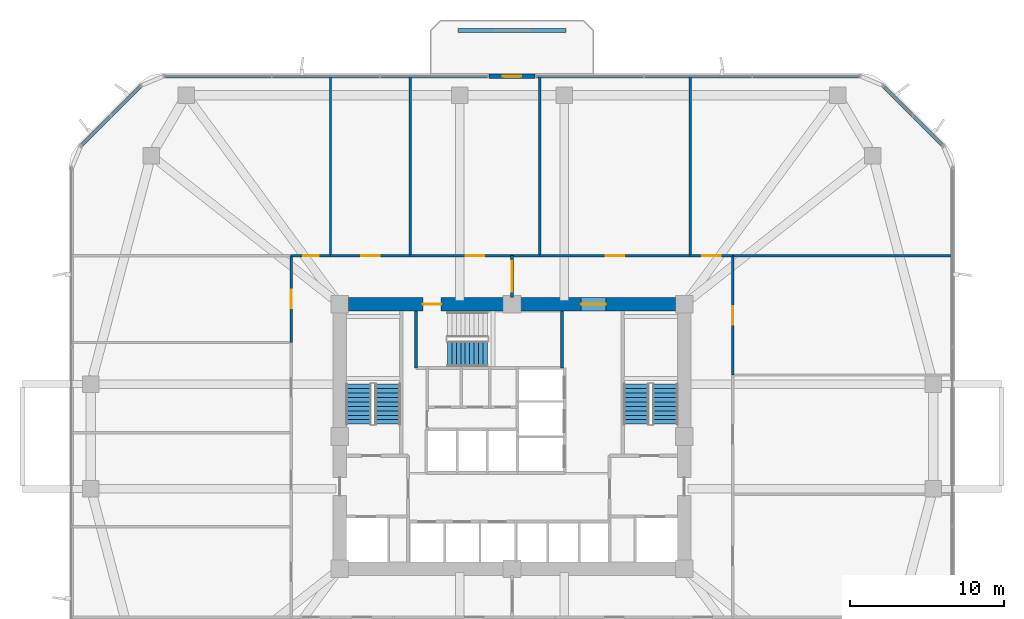
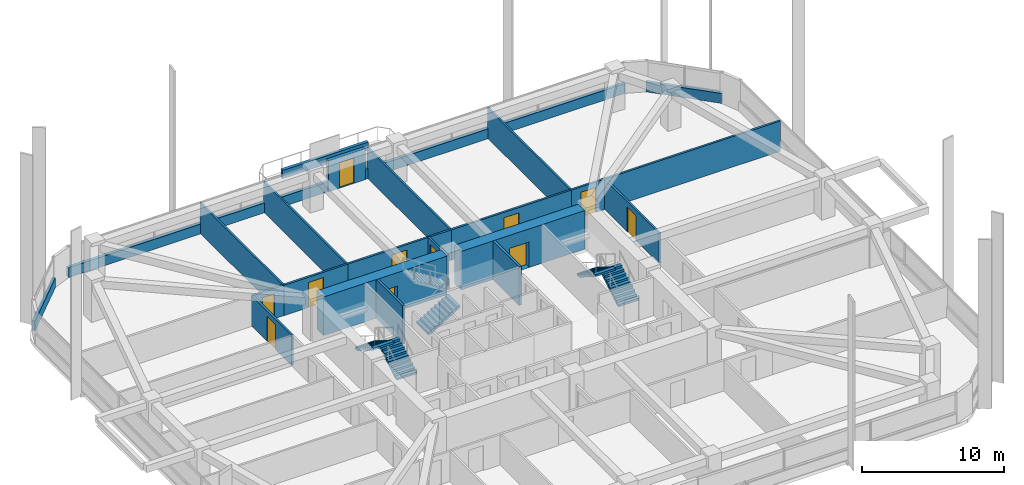
# One storey, part 11 of 17: 23 walls, 11 doors, 5 stair flights, 11 openings, 3 elements without a shape of their own.
"""IFC4 building model written with IfcOpenShell, lengths in metres."""

from ifc_helpers import new_model, si_unit, derived_unit, direction, frame, frame_2d, origin, place, context, subcontext, project, spatial, polyline, rectangle, outline, extrude, material, layer, layer_set, type_object, element, fill, aggregate, save


model = new_model("IFC4")

# Units and contexts
model_context = context("Model", 3, precision=1e-05, world=origin(), true_north=direction((0.0, 1.0)))
body_context = subcontext(model_context, "Body", "Model", "MODEL_VIEW")
ifc_project = project(units=[si_unit("LENGTHUNIT", "METRE"), si_unit("AREAUNIT", "SQUARE_METRE"), si_unit("VOLUMEUNIT", "CUBIC_METRE"), si_unit("PLANEANGLEUNIT", "RADIAN"), si_unit("MASSUNIT", "GRAM", prefix="KILO"), derived_unit("THERMALTRANSMITTANCEUNIT", [(si_unit("POWERUNIT", "WATT"), 1), (si_unit("LENGTHUNIT", "METRE"), -2), (si_unit("THERMODYNAMICTEMPERATUREUNIT", "KELVIN"), -1)])], contexts=[model_context])

# Site, building, storey
site_placement = place(None, origin())
site = spatial("IfcSite", under=ifc_project, at=site_placement, CompositionType="ELEMENT")
building_placement = place(site_placement, origin())
building = spatial("IfcBuilding", under=site, at=building_placement, Name="Koralith Skygarden Medical Center", CompositionType="ELEMENT")
storey_placement = place(building_placement, frame((0.0, 0.0, 52.739990234375)))
storey = spatial("IfcBuildingStorey", under=building, at=storey_placement, Name="L13", CompositionType="ELEMENT", Elevation=52.739990234375)

# Walls
ifc_material_1 = material(Name="Gypsum Board Partition")
ifc_layer_1 = layer(ifc_material_1, 0.14990234375)
ifc_layer_set_1 = layer_set([ifc_layer_1], Name="Gypsum Board Partition")
wall_type_1 = type_object("IfcWallType", Name="Clinical Acoustic Partition 150", PredefinedType="PARTITIONING", material=ifc_layer_set_1)
for number, where, z_axis, x_axis, name in (
    (1, (25.199951171875, 37.64990234375, 0.0), (0.0, 0.0, 1.0), (0.0, 1.0, 0.0), "L13 Clinical Acoustic Partition 150 W-PART-L13-N-01"),
    (2, (30.381103515625, 37.64990234375, 0.0), (0.0, 0.0, 1.0), (0.0, 1.0, 0.0), "L13 Clinical Acoustic Partition 150 W-PART-L13-N-02"),
    (3, (38.800048828125, 37.64990234375, 0.0), (0.0, 0.0, 1.0), (0.0, 1.0, 0.0), "L13 Clinical Acoustic Partition 150 W-PART-L13-N-03"),
    (4, (48.583984375, 37.64990234375, 0.0), (0.0, 0.0, 1.0), (0.0, 1.0, 0.0), "L13 Clinical Acoustic Partition 150 W-PART-L13-N-04"),
):
    element("IfcWall", number, at=place(storey_placement, frame(where, z_axis=z_axis, x_axis=x_axis)), inside=storey, type_object=wall_type_1, Name=name, PredefinedType="PARTITIONING", context=body_context, shape_type="SweptSolid", body=[
        extrude(rectangle(XDim=11.650146484375, YDim=0.14990234375, at=frame_2d((5.8251953125, 0.0))), origin(), (0.0, 0.0, 1.0), 2.610107421875),
    ])
ifc_layer_2 = layer(ifc_material_1, 0.1650390625)
ifc_layer_set_2 = layer_set([ifc_layer_2], Name="Gypsum Board Partition")
wall_type_2 = type_object("IfcWallType", Name="Clinical Corridor Partition 165", PredefinedType="PARTITIONING", material=ifc_layer_set_2)
wall_1_placement = place(storey_placement, frame((51.35009765625, 37.64990234375, 0.0), z_axis=(0.0, 0.0, 1.0), x_axis=(1.0, 0.0, 0.0)))
element("IfcWall", 5, at=wall_1_placement, inside=storey, type_object=wall_type_2, Name="L13 Clinical Corridor Partition 165 W-WB-L13-NE", PredefinedType="PARTITIONING", context=body_context, shape_type="SweptSolid", body=[
    extrude(rectangle(XDim=14.25, YDim=0.1650390625, at=frame_2d((7.125, 0.0))), origin(), (0.0, 0.0, 1.0), 2.610107421875),
])

# Wall, opening, door
wall_2_placement = place(storey_placement, frame((22.64990234375, 37.64990234375, 0.0), z_axis=(0.0, 0.0, 1.0), x_axis=(1.0, 0.0, 0.0)))
wall_2 = element("IfcWall", 6, at=wall_2_placement, inside=storey, type_object=wall_type_2, Name="L13 Clinical Corridor Partition 165 W-CORR-L13-N-01", PredefinedType="PARTITIONING", context=body_context, shape_type="SweptSolid", body=[
    extrude(rectangle(XDim=2.550048828125, YDim=0.1650390625, at=frame_2d((1.27490234375, 0.0))), origin(), (0.0, 0.0, 1.0), 2.610107421875),
])
opening_1_placement = place(wall_2_placement, frame((0.77490234375, 0.0, 0.0)))
opening_1 = element("IfcOpeningElement", 7, at=opening_1_placement, cuts=wall_2, Name="Opening D-SUP", PredefinedType="OPENING", context=body_context, shape_type="SweptSolid", body=[
    extrude(rectangle(XDim=1.0, YDim=2.14990234375, at=frame_2d((0.5, 1.074951171875))), frame((0.0, 0.092529296875, 0.0), z_axis=(0.0, -1.0, 0.0), x_axis=(1.0, 0.0, 0.0)), (0.0, 0.0, 1.0), 0.18505859375),
])
ifc_material_2 = material(Name="Aluminium 6063-T6", Category="aluminium")
door_type_1 = type_object("IfcDoorType", Name="Clinical Support Door D-SUP 1000", OperationType="NOTDEFINED", PredefinedType="DOOR", material=ifc_material_2)
door_1_placement = place(opening_1_placement, origin())
door_1 = element("IfcDoor", 8, at=door_1_placement, inside=storey, type_object=door_type_1, Name="L13 Clinical Simulation Classroom 01 Door", OperationType="SINGLE_SWING_RIGHT", OverallHeight=2.14990234375, OverallWidth=1.0, PredefinedType="DOOR", context=body_context, shape_type="SweptSolid", body=[
    extrude(rectangle(XDim=1.0, YDim=2.14990234375, at=frame_2d((0.5, 1.074951171875))), frame((0.0, 0.02490234375, 0.0), z_axis=(0.0, -1.0, 0.0), x_axis=(1.0, 0.0, 0.0)), (0.0, 0.0, 1.0), 0.050048828125),
])
fill(opening_1, door_1)

wall_3_placement = place(storey_placement, frame((25.199951171875, 37.64990234375, 0.0), z_axis=(0.0, 0.0, 1.0), x_axis=(1.0, 0.0, 0.0)))
wall_3 = element("IfcWall", 9, at=wall_3_placement, inside=storey, type_object=wall_type_2, Name="L13 Clinical Corridor Partition 165 W-CORR-L13-N-02", PredefinedType="PARTITIONING", context=body_context, shape_type="SweptSolid", body=[
    extrude(rectangle(XDim=5.18115234375, YDim=0.1650390625, at=frame_2d((2.590576171875, 0.0))), origin(), (0.0, 0.0, 1.0), 2.610107421875),
])
opening_2_placement = place(wall_3_placement, frame((1.990966796875, 0.0, 0.0)))
opening_2 = element("IfcOpeningElement", 10, at=opening_2_placement, cuts=wall_3, Name="Opening D-CLN", PredefinedType="OPENING", context=body_context, shape_type="SweptSolid", body=[
    extrude(rectangle(XDim=1.199951171875, YDim=2.14990234375, at=frame_2d((0.60009765625, 1.074951171875))), frame((0.0, 0.092529296875, 0.0), z_axis=(0.0, -1.0, 0.0), x_axis=(1.0, 0.0, 0.0)), (0.0, 0.0, 1.0), 0.18505859375),
])
door_type_2 = type_object("IfcDoorType", Name="Clinical Corridor Door D-CLN 1200", OperationType="NOTDEFINED", PredefinedType="DOOR", material=ifc_material_2)
door_2_placement = place(opening_2_placement, origin())
door_2 = element("IfcDoor", 11, at=door_2_placement, inside=storey, type_object=door_type_2, Name="L13 Grand Rounds Conference Room 02 Door", OperationType="SINGLE_SWING_LEFT", OverallHeight=2.14990234375, OverallWidth=1.199951171875, PredefinedType="DOOR", context=body_context, shape_type="SweptSolid", body=[
    extrude(rectangle(XDim=1.199951171875, YDim=2.14990234375, at=frame_2d((0.60009765625, 1.074951171875))), frame((0.0, 0.02490234375, 0.0), z_axis=(0.0, -1.0, 0.0), x_axis=(1.0, 0.0, 0.0)), (0.0, 0.0, 1.0), 0.050048828125),
])
fill(opening_2, door_2)

wall_4_placement = place(storey_placement, frame((30.381103515625, 37.64990234375, 0.0), z_axis=(0.0, 0.0, 1.0), x_axis=(1.0, 0.0, 0.0)))
wall_4 = element("IfcWall", 12, at=wall_4_placement, inside=storey, type_object=wall_type_2, Name="L13 Clinical Corridor Partition 165 W-CORR-L13-N-03", PredefinedType="PARTITIONING", context=body_context, shape_type="SweptSolid", body=[
    extrude(rectangle(XDim=8.4189453125, YDim=0.1650390625, at=frame_2d((4.20947265625, 0.0))), origin(), (0.0, 0.0, 1.0), 2.610107421875),
])
opening_3_placement = place(wall_4_placement, frame((3.60888671875, 0.0, 0.0)))
opening_3 = element("IfcOpeningElement", 13, at=opening_3_placement, cuts=wall_4, Name="Opening D-CLN", PredefinedType="OPENING", context=body_context, shape_type="SweptSolid", body=[
    extrude(rectangle(XDim=1.199951171875, YDim=2.14990234375, at=frame_2d((0.60009765625, 1.074951171875))), frame((0.0, 0.092529296875, 0.0), z_axis=(0.0, -1.0, 0.0), x_axis=(1.0, 0.0, 0.0)), (0.0, 0.0, 1.0), 0.18505859375),
])
door_3_placement = place(opening_3_placement, origin())
door_3 = element("IfcDoor", 14, at=door_3_placement, inside=storey, type_object=door_type_2, Name="L13 Patient and Family Sky-Garden Day Lounge 03 Door", OperationType="SINGLE_SWING_RIGHT", OverallHeight=2.14990234375, OverallWidth=1.199951171875, PredefinedType="DOOR", context=body_context, shape_type="SweptSolid", body=[
    extrude(rectangle(XDim=1.199951171875, YDim=2.14990234375, at=frame_2d((0.60009765625, 1.074951171875))), frame((0.0, 0.02490234375, 0.0), z_axis=(0.0, -1.0, 0.0), x_axis=(1.0, 0.0, 0.0)), (0.0, 0.0, 1.0), 0.050048828125),
])
fill(opening_3, door_3)

wall_5_placement = place(storey_placement, frame((38.800048828125, 37.64990234375, 0.0), z_axis=(0.0, 0.0, 1.0), x_axis=(1.0, 0.0, 0.0)))
wall_5 = element("IfcWall", 15, at=wall_5_placement, inside=storey, type_object=wall_type_2, Name="L13 Clinical Corridor Partition 165 W-CORR-L13-N-04", PredefinedType="PARTITIONING", context=body_context, shape_type="SweptSolid", body=[
    extrude(rectangle(XDim=9.783935546875, YDim=0.1650390625, at=frame_2d((4.89208984375, 0.0))), origin(), (0.0, 0.0, 1.0), 2.610107421875),
])
opening_4_placement = place(wall_5_placement, frame((4.2919921875, 0.0, 0.0)))
opening_4 = element("IfcOpeningElement", 16, at=opening_4_placement, cuts=wall_5, Name="Opening D-CLN", PredefinedType="OPENING", context=body_context, shape_type="SweptSolid", body=[
    extrude(rectangle(XDim=1.199951171875, YDim=2.14990234375, at=frame_2d((0.60009765625, 1.074951171875))), frame((0.0, 0.092529296875, 0.0), z_axis=(0.0, -1.0, 0.0), x_axis=(1.0, 0.0, 0.0)), (0.0, 0.0, 1.0), 0.18505859375),
])
door_4_placement = place(opening_4_placement, origin())
door_4 = element("IfcDoor", 17, at=door_4_placement, inside=storey, type_object=door_type_2, Name="L13 Hospitality Beverage Pantry 04 Door", OperationType="SINGLE_SWING_LEFT", OverallHeight=2.14990234375, OverallWidth=1.199951171875, PredefinedType="DOOR", context=body_context, shape_type="SweptSolid", body=[
    extrude(rectangle(XDim=1.199951171875, YDim=2.14990234375, at=frame_2d((0.60009765625, 1.074951171875))), frame((0.0, 0.02490234375, 0.0), z_axis=(0.0, -1.0, 0.0), x_axis=(1.0, 0.0, 0.0)), (0.0, 0.0, 1.0), 0.050048828125),
])
fill(opening_4, door_4)

wall_6_placement = place(storey_placement, frame((48.583984375, 37.64990234375, 0.0), z_axis=(0.0, 0.0, 1.0), x_axis=(1.0, 0.0, 0.0)))
wall_6 = element("IfcWall", 18, at=wall_6_placement, inside=storey, type_object=wall_type_2, Name="L13 Clinical Corridor Partition 165 W-CORR-L13-N-05", PredefinedType="PARTITIONING", context=body_context, shape_type="SweptSolid", body=[
    extrude(rectangle(XDim=2.76611328125, YDim=0.1650390625, at=frame_2d((1.383056640625, 0.0))), origin(), (0.0, 0.0, 1.0), 2.610107421875),
])
opening_5_placement = place(wall_6_placement, frame((0.782958984375, 0.0, 0.0)))
opening_5 = element("IfcOpeningElement", 19, at=opening_5_placement, cuts=wall_6, Name="Opening D-CLN", PredefinedType="OPENING", context=body_context, shape_type="SweptSolid", body=[
    extrude(rectangle(XDim=1.199951171875, YDim=2.14990234375, at=frame_2d((0.60009765625, 1.074951171875))), frame((0.0, 0.092529296875, 0.0), z_axis=(0.0, -1.0, 0.0), x_axis=(1.0, 0.0, 0.0)), (0.0, 0.0, 1.0), 0.18505859375),
])
door_5_placement = place(opening_5_placement, origin())
door_5 = element("IfcDoor", 20, at=door_5_placement, inside=storey, type_object=door_type_2, Name="L13 Academic Faculty Office 05 Door", OperationType="SINGLE_SWING_RIGHT", OverallHeight=2.14990234375, OverallWidth=1.199951171875, PredefinedType="DOOR", context=body_context, shape_type="SweptSolid", body=[
    extrude(rectangle(XDim=1.199951171875, YDim=2.14990234375, at=frame_2d((0.60009765625, 1.074951171875))), frame((0.0, 0.02490234375, 0.0), z_axis=(0.0, -1.0, 0.0), x_axis=(1.0, 0.0, 0.0)), (0.0, 0.0, 1.0), 0.050048828125),
])
fill(opening_5, door_5)

wall_7_placement = place(storey_placement, frame((22.64990234375, 32.010009765625, 0.0), z_axis=(0.0, 0.0, 1.0), x_axis=(0.0, 1.0, 0.0)))
wall_7 = element("IfcWall", 21, at=wall_7_placement, inside=storey, type_object=wall_type_2, Name="L13 Clinical Corridor Partition 165 W-CORR-L13-W-04", PredefinedType="PARTITIONING", context=body_context, shape_type="SweptSolid", body=[
    extrude(rectangle(XDim=5.639892578125, YDim=0.1650390625, at=frame_2d((2.81982421875, 0.0))), origin(), (0.0, 0.0, 1.0), 2.610107421875),
])
opening_6_placement = place(wall_7_placement, frame((2.219970703125, 0.0, 0.0)))
opening_6 = element("IfcOpeningElement", 22, at=opening_6_placement, cuts=wall_7, Name="Opening D-CLN", PredefinedType="OPENING", context=body_context, shape_type="SweptSolid", body=[
    extrude(rectangle(XDim=1.199951171875, YDim=2.14990234375, at=frame_2d((0.60009765625, 1.074951171875))), frame((0.0, 0.092529296875, 0.0), z_axis=(0.0, -1.0, 0.0), x_axis=(1.0, 0.0, 0.0)), (0.0, 0.0, 1.0), 0.18505859375),
])
door_6_placement = place(opening_6_placement, frame((1.199951171875, 0.0, 0.0), z_axis=(0.0, 0.0, 1.0), x_axis=(-1.0, 0.0, 0.0)))
door_6 = element("IfcDoor", 23, at=door_6_placement, inside=storey, type_object=door_type_2, Name="L13 Academic Faculty Office 14 Door", OperationType="SINGLE_SWING_LEFT", OverallHeight=2.14990234375, OverallWidth=1.199951171875, PredefinedType="DOOR", context=body_context, shape_type="SweptSolid", body=[
    extrude(rectangle(XDim=1.199951171875, YDim=2.14990234375, at=frame_2d((0.60009765625, 1.074951171875))), frame((0.0, 0.02490234375, 0.0), z_axis=(0.0, -1.0, 0.0), x_axis=(1.0, 0.0, 0.0)), (0.0, 0.0, 1.0), 0.050048828125),
])
fill(opening_6, door_6)

wall_8_placement = place(storey_placement, frame((51.35009765625, 29.89501953125, 0.0), z_axis=(0.0, 0.0, 1.0), x_axis=(0.0, 1.0, 0.0)))
wall_8 = element("IfcWall", 24, at=wall_8_placement, inside=storey, type_object=wall_type_2, Name="L13 Clinical Corridor Partition 165 W-CORR-L13-E-03", PredefinedType="PARTITIONING", context=body_context, shape_type="SweptSolid", body=[
    extrude(rectangle(XDim=7.7548828125, YDim=0.1650390625, at=frame_2d((3.87744140625, 0.0))), origin(), (0.0, 0.0, 1.0), 2.610107421875),
])
opening_7_placement = place(wall_8_placement, frame((3.277099609375, 0.0, 0.0)))
opening_7 = element("IfcOpeningElement", 25, at=opening_7_placement, cuts=wall_8, Name="Opening D-CLN", PredefinedType="OPENING", context=body_context, shape_type="SweptSolid", body=[
    extrude(rectangle(XDim=1.199951171875, YDim=2.14990234375, at=frame_2d((0.60009765625, 1.074951171875))), frame((0.0, 0.092529296875, 0.0), z_axis=(0.0, -1.0, 0.0), x_axis=(1.0, 0.0, 0.0)), (0.0, 0.0, 1.0), 0.18505859375),
])
door_7_placement = place(opening_7_placement, origin())
door_7 = element("IfcDoor", 26, at=door_7_placement, inside=storey, type_object=door_type_2, Name="L13 Hospitality Beverage Pantry 17 Door", OperationType="SINGLE_SWING_RIGHT", OverallHeight=2.14990234375, OverallWidth=1.199951171875, PredefinedType="DOOR", context=body_context, shape_type="SweptSolid", body=[
    extrude(rectangle(XDim=1.199951171875, YDim=2.14990234375, at=frame_2d((0.60009765625, 1.074951171875))), frame((0.0, 0.02490234375, 0.0), z_axis=(0.0, -1.0, 0.0), x_axis=(1.0, 0.0, 0.0)), (0.0, 0.0, 1.0), 0.050048828125),
])
fill(opening_7, door_7)

ifc_layer_3 = layer(ifc_material_1, 0.179931640625)
ifc_layer_set_3 = layer_set([ifc_layer_3], Name="Gypsum Board Partition")
wall_type_3 = type_object("IfcWallType", Name="Group I-2 Smoke Barrier Wall 180", PredefinedType="PARTITIONING", material=ifc_layer_set_3)
wall_9_placement = place(storey_placement, frame((37.0, 34.949951171875, 0.0), z_axis=(0.0, 0.0, 1.0), x_axis=(0.0, 1.0, 0.0)))
wall_9 = element("IfcWall", 27, at=wall_9_placement, inside=storey, type_object=wall_type_3, Name="L13 Group I-2 Smoke Barrier Wall 180 W-SMK-L13-N", PredefinedType="PARTITIONING", context=body_context, shape_type="SweptSolid", body=[
    extrude(rectangle(XDim=2.699951171875, YDim=0.179931640625, at=frame_2d((1.35009765625, 0.0))), origin(), (0.0, 0.0, 1.0), 2.610107421875),
])
opening_8_placement = place(wall_9_placement, frame((0.35009765625, 0.0, 0.0)))
opening_8 = element("IfcOpeningElement", 28, at=opening_8_placement, cuts=wall_9, Name="Opening D-SMK", PredefinedType="OPENING", context=body_context, shape_type="SweptSolid", body=[
    extrude(rectangle(XDim=2.0, YDim=2.199951171875, at=frame_2d((1.0, 1.10009765625))), frame((0.0, 0.099853515625, 0.0), z_axis=(0.0, -1.0, 0.0), x_axis=(1.0, 0.0, 0.0)), (0.0, 0.0, 1.0), 0.199951171875),
])
ifc_material_3 = material(Name="Steel ASTM A500 Grade C", Category="steel")
door_type_3 = type_object("IfcDoorType", Name="Cross-Corridor Double Smoke Door FD60S 2000", OperationType="NOTDEFINED", PredefinedType="DOOR", material=ifc_material_3)
door_8_placement = place(opening_8_placement, origin())
door_8 = element("IfcDoor", 29, at=door_8_placement, inside=storey, type_object=door_type_3, Name="L13 N Smoke Compartment Cross-Corridor Door", OperationType="DOUBLE_DOOR_SINGLE_SWING", OverallHeight=2.199951171875, OverallWidth=2.0, PredefinedType="DOOR", context=body_context, shape_type="SweptSolid", body=[
    extrude(rectangle(XDim=2.0, YDim=2.199951171875, at=frame_2d((1.0, 1.10009765625))), frame((0.0, 0.02490234375, 0.0), z_axis=(0.0, -1.0, 0.0), x_axis=(1.0, 0.0, 0.0)), (0.0, 0.0, 1.0), 0.050048828125),
])
fill(opening_8, door_8)

# Walls
ifc_material_4 = material(Name="Warm Oolitic Limestone Cladding", Category="masonry")
ifc_layer_4 = layer(ifc_material_4, 0.239990234375)
ifc_layer_set_4 = layer_set([ifc_layer_4], Name="Warm Oolitic Limestone Cladding")
wall_type_4 = type_object("IfcWallType", Name="Limestone Spandrel Sill Backup Wall 240", PredefinedType="SOLIDWALL", material=ifc_layer_set_4)
wall_10_placement = place(storey_placement, frame((65.01904296875, 44.7958984375, 0.0), z_axis=(0.0, 0.0, 1.0), x_axis=(-0.707106781187, 0.707106781187, 0.0)))
element("IfcWall", 30, at=wall_10_placement, inside=storey, type_object=wall_type_4, Name="L13 Sill Spandrel NE", PredefinedType="SOLIDWALL", context=body_context, shape_type="SweptSolid", body=[
    extrude(rectangle(XDim=5.548095703125, YDim=0.239990234375, at=frame_2d((2.77392578125, 0.0))), origin(), (0.0, 0.0, 1.0), 0.85009765625),
])
for number, where, z_axis, x_axis, name in (
    (31, (59.64501953125, 49.320068359375, 0.0), (0.0, 0.0, 1.0), (-1.0, 0.0, 0.0), "L13 Sill Spandrel N-L"),
    (32, (35.4599609375, 49.320068359375, 0.0), (0.0, 0.0, 1.0), (-1.0, 0.0, 0.0), "L13 Sill Spandrel N-R"),
):
    element("IfcWall", number, at=place(storey_placement, frame(where, z_axis=z_axis, x_axis=x_axis)), inside=storey, type_object=wall_type_4, Name=name, PredefinedType="SOLIDWALL", context=body_context, shape_type="SweptSolid", body=[
        extrude(rectangle(XDim=21.10498046875, YDim=0.239990234375, at=frame_2d((10.552490234375, 0.0))), origin(), (0.0, 0.0, 1.0), 0.85009765625),
    ])
wall_11_placement = place(storey_placement, frame((12.904052734375, 48.718994140625, 0.0), z_axis=(0.0, 0.0, 1.0), x_axis=(-0.707106781187, -0.707106781187, 0.0)))
element("IfcWall", 33, at=wall_11_placement, inside=storey, type_object=wall_type_4, Name="L13 Sill Spandrel NW", PredefinedType="SOLIDWALL", context=body_context, shape_type="SweptSolid", body=[
    extrude(rectangle(XDim=5.548095703125, YDim=0.239990234375, at=frame_2d((2.77392578125, 0.0))), origin(), (0.0, 0.0, 1.0), 0.85009765625),
])

# Wall, opening, door
ifc_material_5 = material(Name="Concrete C70/85", Category="concrete")
ifc_layer_5 = layer(ifc_material_5, 0.89990234375)
ifc_layer_set_5 = layer_set([ifc_layer_5], Name="Concrete C70/85")
wall_type_5 = type_object("IfcWallType", Name="Lower Core Shear Wall 900", PredefinedType="SHEAR", material=ifc_layer_set_5)
wall_12_placement = place(storey_placement, frame((47.635009765625, 34.5, 0.0), z_axis=(0.0, 0.0, 1.0), x_axis=(-1.0, 0.0, 0.0)))
wall_12 = element("IfcWall", 34, at=wall_12_placement, inside=storey, type_object=wall_type_5, Name="L13 Core Shear Wall Segment 5", PredefinedType="SHEAR", context=body_context, shape_type="SweptSolid", body=[
    extrude(rectangle(XDim=10.070068359375, YDim=0.89990234375, at=frame_2d((5.03515625, 0.0))), origin(), (0.0, 0.0, 1.0), 3.320068359375),
])
opening_9_placement = place(wall_12_placement, frame((4.534912109375, 0.0, 0.0)))
opening_9 = element("IfcOpeningElement", 35, at=opening_9_placement, cuts=wall_12, Name="Opening D-DBL", PredefinedType="OPENING", context=body_context, shape_type="SweptSolid", body=[
    extrude(rectangle(XDim=1.60009765625, YDim=2.199951171875, at=frame_2d((0.800048828125, 1.10009765625))), frame((0.0, 0.4599609375, 0.0), z_axis=(0.0, -1.0, 0.0), x_axis=(1.0, 0.0, 0.0)), (0.0, 0.0, 1.0), 0.919921875),
])
door_type_4 = type_object("IfcDoorType", Name="Double Clinical Suite Door D-DBL 1600", OperationType="NOTDEFINED", PredefinedType="DOOR", material=ifc_material_2)
door_9_placement = place(opening_9_placement, frame((1.60009765625, 0.0, 0.0), z_axis=(0.0, 0.0, 1.0), x_axis=(-1.0, 0.0, 0.0)))
door_9 = element("IfcDoor", 36, at=door_9_placement, inside=storey, type_object=door_type_4, Name="L13 North-East Corridor to Elevator Lobby Door", OperationType="DOUBLE_DOOR_SINGLE_SWING", OverallHeight=2.199951171875, OverallWidth=1.60009765625, PredefinedType="DOOR", context=body_context, shape_type="SweptSolid", body=[
    extrude(rectangle(XDim=1.60009765625, YDim=2.199951171875, at=frame_2d((0.800048828125, 1.10009765625))), frame((0.0, 0.02490234375, 0.0), z_axis=(0.0, -1.0, 0.0), x_axis=(1.0, 0.0, 0.0)), (0.0, 0.0, 1.0), 0.050048828125),
])
fill(opening_9, door_9)

wall_13_placement = place(storey_placement, frame((36.43505859375, 34.5, 0.0), z_axis=(0.0, 0.0, 1.0), x_axis=(-1.0, 0.0, 0.0)))
wall_13 = element("IfcWall", 37, at=wall_13_placement, inside=storey, type_object=wall_type_5, Name="L13 Core Shear Wall Segment 6", PredefinedType="SHEAR", context=body_context, shape_type="SweptSolid", body=[
    extrude(rectangle(XDim=10.070068359375, YDim=0.89990234375, at=frame_2d((5.03515625, 0.0))), origin(), (0.0, 0.0, 1.0), 3.320068359375),
])
opening_10_placement = place(wall_13_placement, frame((4.034912109375, 0.0, 0.0)))
opening_10 = element("IfcOpeningElement", 38, at=opening_10_placement, cuts=wall_13, Name="Opening D-ST60", PredefinedType="OPENING", context=body_context, shape_type="SweptSolid", body=[
    extrude(rectangle(XDim=1.199951171875, YDim=2.14990234375, at=frame_2d((0.60009765625, 1.074951171875))), frame((0.0, 0.4599609375, 0.0), z_axis=(0.0, -1.0, 0.0), x_axis=(1.0, 0.0, 0.0)), (0.0, 0.0, 1.0), 0.919921875),
])
door_type_5 = type_object("IfcDoorType", Name="Smokeproof Stair Fire Door FD60S 1200", OperationType="NOTDEFINED", PredefinedType="DOOR", material=ifc_material_3)
door_10_placement = place(opening_10_placement, frame((1.199951171875, 0.0, 0.0), z_axis=(0.0, 0.0, 1.0), x_axis=(-1.0, 0.0, 0.0)))
door_10 = element("IfcDoor", 39, at=door_10_placement, inside=storey, type_object=door_type_5, Name="L13 Exit Stair ST3 Fire Door", OperationType="SINGLE_SWING_LEFT", OverallHeight=2.14990234375, OverallWidth=1.199951171875, PredefinedType="DOOR", context=body_context, shape_type="SweptSolid", body=[
    extrude(rectangle(XDim=1.199951171875, YDim=2.14990234375, at=frame_2d((0.60009765625, 1.074951171875))), frame((0.0, 0.02490234375, 0.0), z_axis=(0.0, -1.0, 0.0), x_axis=(1.0, 0.0, 0.0)), (0.0, 0.0, 1.0), 0.050048828125),
])
fill(opening_10, door_10)

ifc_layer_6 = layer(ifc_material_4, 0.300048828125)
ifc_layer_set_6 = layer_set([ifc_layer_6], Name="Warm Oolitic Limestone Cladding")
wall_type_6 = type_object("IfcWallType", Name="Oolitic Limestone Insulated Facade Wall 300", PredefinedType="SOLIDWALL", material=ifc_layer_set_6)
wall_14_placement = place(storey_placement, frame((38.5, 49.320068359375, 0.0), z_axis=(0.0, 0.0, 1.0), x_axis=(-1.0, 0.0, 0.0)))
wall_14 = element("IfcWall", 40, at=wall_14_placement, inside=storey, type_object=wall_type_6, Name="L13 Terrace Portal Wall N", PredefinedType="SOLIDWALL", context=body_context, shape_type="SweptSolid", body=[
    extrude(rectangle(XDim=3.0, YDim=0.300048828125, at=frame_2d((1.5, 0.0))), origin(), (0.0, 0.0, 1.0), 2.64990234375),
])
opening_11_placement = place(wall_14_placement, frame((0.89990234375, 0.0, 0.0)))
opening_11 = element("IfcOpeningElement", 41, at=opening_11_placement, cuts=wall_14, Name="Opening D-BAL", PredefinedType="OPENING", context=body_context, shape_type="SweptSolid", body=[
    extrude(rectangle(XDim=1.199951171875, YDim=2.199951171875, at=frame_2d((0.60009765625, 1.10009765625))), frame((0.0, 0.159912109375, 0.0), z_axis=(0.0, -1.0, 0.0), x_axis=(1.0, 0.0, 0.0)), (0.0, 0.0, 1.0), 0.320068359375),
])
door_type_6 = type_object("IfcDoorType", Name="Planted Balcony Glazed Terrace Door D-BAL 1200", OperationType="NOTDEFINED", PredefinedType="DOOR", material=ifc_material_2)
door_11_placement = place(opening_11_placement, origin())
door_11 = element("IfcDoor", 42, at=door_11_placement, inside=storey, type_object=door_type_6, Name="L13 N Outdoor Terrace Access Door", OperationType="SINGLE_SWING_RIGHT", OverallHeight=2.199951171875, OverallWidth=1.199951171875, PredefinedType="DOOR", context=body_context, shape_type="SweptSolid", body=[
    extrude(rectangle(XDim=1.199951171875, YDim=2.199951171875, at=frame_2d((0.60009765625, 1.10009765625))), frame((0.0, 0.02490234375, 0.0), z_axis=(0.0, -1.0, 0.0), x_axis=(1.0, 0.0, 0.0)), (0.0, 0.0, 1.0), 0.050048828125),
])
fill(opening_11, door_11)

# Walls
ifc_material_6 = material(Name="Precast concrete C40/50", Category="concrete")
ifc_layer_7 = layer(ifc_material_6, 0.25)
ifc_layer_set_7 = layer_set([ifc_layer_7], Name="Precast concrete C40/50")
wall_type_7 = type_object("IfcWallType", Name="Structural Concrete Balcony Planter Kerb 250", PredefinedType="PARAPET", material=ifc_layer_set_7)
wall_15_placement = place(storey_placement, frame((33.5, 52.300048828125, 0.0), z_axis=(0.0, 0.0, 1.0), x_axis=(1.0, 0.0, 0.0)))
element("IfcWall", 43, at=wall_15_placement, inside=storey, type_object=wall_type_7, Name="L13 N Structural Tree PLANTER Box", PredefinedType="PARAPET", context=body_context, shape_type="SweptSolid", body=[
    extrude(rectangle(XDim=7.0, YDim=0.25, at=frame_2d((3.5, 0.0))), origin(), (0.0, 0.0, 1.0), 0.719970703125),
])
ifc_material_7 = material(Name="Concrete C45/55", Category="concrete")
ifc_layer_8 = layer(ifc_material_7, 0.199951171875)
ifc_layer_set_8 = layer_set([ifc_layer_8], Name="Concrete C45/55")
wall_type_8 = type_object("IfcWallType", Name="Structural Stair Shaft Wall 200", PredefinedType="SHEAR", material=ifc_layer_set_8)
for number, where, z_axis, x_axis, name in (
    (44, (30.75, 30.360107421875, 0.0), (0.0, 0.0, 1.0), (0.0, 1.0, 0.0), "L13 Structural Stair Shaft Wall 200 W-CORE-L13-ST3-W"),
    (45, (40.25, 30.360107421875, 0.0), (0.0, 0.0, 1.0), (0.0, 1.0, 0.0), "L13 Structural Stair Shaft Wall 200 W-CORE-L13-ST3-E"),
):
    element("IfcWall", number, at=place(storey_placement, frame(where, z_axis=z_axis, x_axis=x_axis)), inside=storey, type_object=wall_type_8, Name=name, PredefinedType="SHEAR", context=body_context, shape_type="SweptSolid", body=[
        extrude(rectangle(XDim=3.68994140625, YDim=0.199951171875, at=frame_2d((1.844970703125, 0.0))), origin(), (0.0, 0.0, 1.0), 3.320068359375),
    ])

# Stair, stair flights
stair_type = type_object("IfcStairType", Name="Core Exit Dogleg Concrete Stair", PredefinedType="HALF_TURN_STAIR", material=ifc_material_7)
stair_1_placement = place(storey_placement, origin())
stair_1 = element("IfcStair", 46, at=stair_1_placement, inside=storey, type_object=stair_type, Name="L13 Smokeproof Exit Stair ST1", PredefinedType="HALF_TURN_STAIR")
stair_flight_type = type_object("IfcStairFlightType", Name="Core Exit Concrete Stair Flight 1650", PredefinedType="STRAIGHT", material=ifc_material_7)
stair_flight_1_placement = place(storey_placement, frame((28.925048828125, 26.699951171875, 0.0), z_axis=(0.0, 0.0, 1.0), x_axis=(0.0, 1.0, 0.0)))
stair_flight_1 = element("IfcStairFlight", 47, at=stair_flight_1_placement, type_object=stair_flight_type, Name="ST1 flight 1", NumberOfRisers=10, NumberOfTreads=9, PredefinedType="STRAIGHT", RiserHeight=0.18, TreadLength=0.29, context=body_context, shape_type="SweptSolid", body=[
    extrude(outline(polyline([(0.0, 0.0), (0.0, 0.179931640625), (0.2900390625, 0.179931640625), (0.2900390625, 0.360107421875), (0.580078125, 0.360107421875), (0.580078125, 0.5400390625), (0.8701171875, 0.5400390625), (0.8701171875, 0.719970703125), (1.159912109375, 0.719970703125), (1.159912109375, 0.89990234375), (1.449951171875, 0.89990234375), (1.449951171875, 1.080078125), (1.739990234375, 1.080078125), (1.739990234375, 1.260009765625), (2.030029296875, 1.260009765625), (2.030029296875, 1.43994140625), (2.320068359375, 1.43994140625), (2.320068359375, 1.6201171875), (2.610107421875, 1.6201171875), (2.610107421875, 1.800048828125), (2.610107421875, 1.443603515625), (0.2841796875, 0.0), (0.0, 0.0)])), frame((0.0, 0.824951171875, 0.0), z_axis=(0.0, -1.0, 0.0), x_axis=(1.0, 0.0, 0.0)), (0.0, 0.0, 1.0), 1.64990234375),
])
stair_flight_2_placement = place(storey_placement, frame((27.02490234375, 29.31005859375, 1.800048828125), z_axis=(0.0, 0.0, 1.0), x_axis=(0.0, -1.0, 0.0)))
stair_flight_2 = element("IfcStairFlight", 48, at=stair_flight_2_placement, type_object=stair_flight_type, Name="ST1 flight 2", NumberOfRisers=10, NumberOfTreads=9, PredefinedType="STRAIGHT", RiserHeight=0.18, TreadLength=0.29, context=body_context, shape_type="SweptSolid", body=[
    extrude(outline(polyline([(0.0, 0.0), (0.0, 0.179931640625), (0.2900390625, 0.179931640625), (0.2900390625, 0.360107421875), (0.580078125, 0.360107421875), (0.580078125, 0.5400390625), (0.8701171875, 0.5400390625), (0.8701171875, 0.719970703125), (1.159912109375, 0.719970703125), (1.159912109375, 0.89990234375), (1.449951171875, 0.89990234375), (1.449951171875, 1.080078125), (1.739990234375, 1.080078125), (1.739990234375, 1.260009765625), (2.030029296875, 1.260009765625), (2.030029296875, 1.43994140625), (2.320068359375, 1.43994140625), (2.320068359375, 1.6201171875), (2.610107421875, 1.6201171875), (2.610107421875, 1.800048828125), (2.610107421875, 1.443603515625), (0.2841796875, 0.0), (0.0, 0.0)])), frame((0.0, 0.824951171875, 0.0), z_axis=(0.0, -1.0, 0.0), x_axis=(1.0, 0.0, 0.0)), (0.0, 0.0, 1.0), 1.64990234375),
])
aggregate(stair_1, [stair_flight_1, stair_flight_2])

stair_2_placement = place(storey_placement, origin())
stair_2 = element("IfcStair", 49, at=stair_2_placement, inside=storey, type_object=stair_type, Name="L13 Smokeproof Exit Stair ST2", PredefinedType="HALF_TURN_STAIR")
stair_flight_3_placement = place(storey_placement, frame((46.97509765625, 26.699951171875, 0.0), z_axis=(0.0, 0.0, 1.0), x_axis=(0.0, 1.0, 0.0)))
stair_flight_3 = element("IfcStairFlight", 50, at=stair_flight_3_placement, type_object=stair_flight_type, Name="ST2 flight 1", NumberOfRisers=10, NumberOfTreads=9, PredefinedType="STRAIGHT", RiserHeight=0.18, TreadLength=0.29, context=body_context, shape_type="SweptSolid", body=[
    extrude(outline(polyline([(0.0, 0.0), (0.0, 0.179931640625), (0.2900390625, 0.179931640625), (0.2900390625, 0.360107421875), (0.580078125, 0.360107421875), (0.580078125, 0.5400390625), (0.8701171875, 0.5400390625), (0.8701171875, 0.719970703125), (1.159912109375, 0.719970703125), (1.159912109375, 0.89990234375), (1.449951171875, 0.89990234375), (1.449951171875, 1.080078125), (1.739990234375, 1.080078125), (1.739990234375, 1.260009765625), (2.030029296875, 1.260009765625), (2.030029296875, 1.43994140625), (2.320068359375, 1.43994140625), (2.320068359375, 1.6201171875), (2.610107421875, 1.6201171875), (2.610107421875, 1.800048828125), (2.610107421875, 1.443603515625), (0.2841796875, 0.0), (0.0, 0.0)])), frame((0.0, 0.824951171875, 0.0), z_axis=(0.0, -1.0, 0.0), x_axis=(1.0, 0.0, 0.0)), (0.0, 0.0, 1.0), 1.64990234375),
])
stair_flight_4_placement = place(storey_placement, frame((45.074951171875, 29.31005859375, 1.800048828125), z_axis=(0.0, 0.0, 1.0), x_axis=(0.0, -1.0, 0.0)))
stair_flight_4 = element("IfcStairFlight", 51, at=stair_flight_4_placement, type_object=stair_flight_type, Name="ST2 flight 2", NumberOfRisers=10, NumberOfTreads=9, PredefinedType="STRAIGHT", RiserHeight=0.18, TreadLength=0.29, context=body_context, shape_type="SweptSolid", body=[
    extrude(outline(polyline([(0.0, 0.0), (0.0, 0.179931640625), (0.2900390625, 0.179931640625), (0.2900390625, 0.360107421875), (0.580078125, 0.360107421875), (0.580078125, 0.5400390625), (0.8701171875, 0.5400390625), (0.8701171875, 0.719970703125), (1.159912109375, 0.719970703125), (1.159912109375, 0.89990234375), (1.449951171875, 0.89990234375), (1.449951171875, 1.080078125), (1.739990234375, 1.080078125), (1.739990234375, 1.260009765625), (2.030029296875, 1.260009765625), (2.030029296875, 1.43994140625), (2.320068359375, 1.43994140625), (2.320068359375, 1.6201171875), (2.610107421875, 1.6201171875), (2.610107421875, 1.800048828125), (2.610107421875, 1.443603515625), (0.2841796875, 0.0), (0.0, 0.0)])), frame((0.0, 0.824951171875, 0.0), z_axis=(0.0, -1.0, 0.0), x_axis=(1.0, 0.0, 0.0)), (0.0, 0.0, 1.0), 1.64990234375),
])
aggregate(stair_2, [stair_flight_3, stair_flight_4])

# Stair, stair flight
stair_3_placement = place(storey_placement, origin())
stair_3 = element("IfcStair", 52, at=stair_3_placement, inside=storey, type_object=stair_type, Name="L13 Smokeproof Exit Stair ST3", PredefinedType="HALF_TURN_STAIR")
stair_flight_5_placement = place(storey_placement, frame((32.800048828125, 31.27490234375, 0.0), z_axis=(0.0, 0.0, 1.0), x_axis=(1.0, 0.0, 0.0)))
stair_flight_5 = element("IfcStairFlight", 53, at=stair_flight_5_placement, type_object=stair_flight_type, Name="ST3 flight 1", NumberOfRisers=10, NumberOfTreads=9, PredefinedType="STRAIGHT", RiserHeight=0.18, TreadLength=0.29, context=body_context, shape_type="SweptSolid", body=[
    extrude(outline(polyline([(0.0, 0.0), (0.0, 0.179931640625), (0.2900390625, 0.179931640625), (0.2900390625, 0.360107421875), (0.580078125, 0.360107421875), (0.580078125, 0.5400390625), (0.8701171875, 0.5400390625), (0.8701171875, 0.719970703125), (1.159912109375, 0.719970703125), (1.159912109375, 0.89990234375), (1.449951171875, 0.89990234375), (1.449951171875, 1.080078125), (1.739990234375, 1.080078125), (1.739990234375, 1.260009765625), (2.030029296875, 1.260009765625), (2.030029296875, 1.43994140625), (2.320068359375, 1.43994140625), (2.320068359375, 1.6201171875), (2.610107421875, 1.6201171875), (2.610107421875, 1.800048828125), (2.610107421875, 1.443603515625), (0.2841796875, 0.0), (0.0, 0.0)])), frame((0.0, 0.824951171875, 0.0), z_axis=(0.0, -1.0, 0.0), x_axis=(1.0, 0.0, 0.0)), (0.0, 0.0, 1.0), 1.64990234375),
])
aggregate(stair_3, [stair_flight_5])

save(model, "model.ifc")
